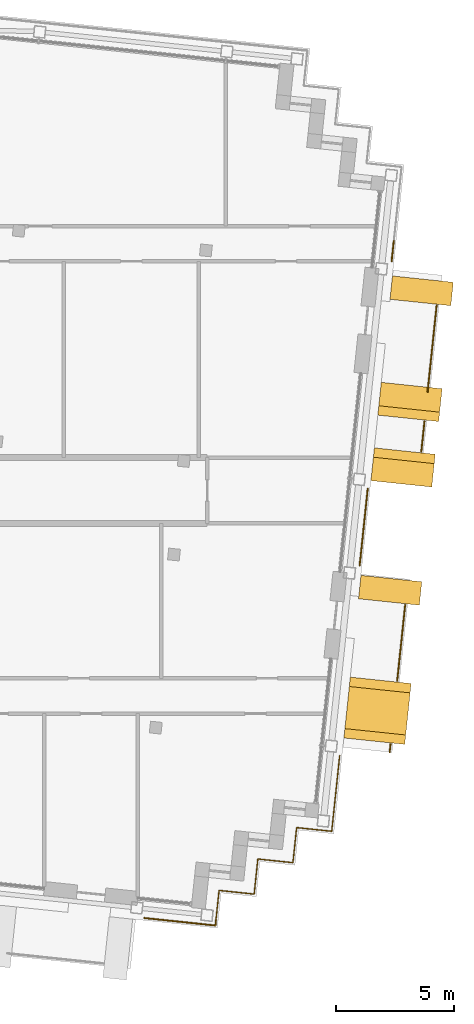
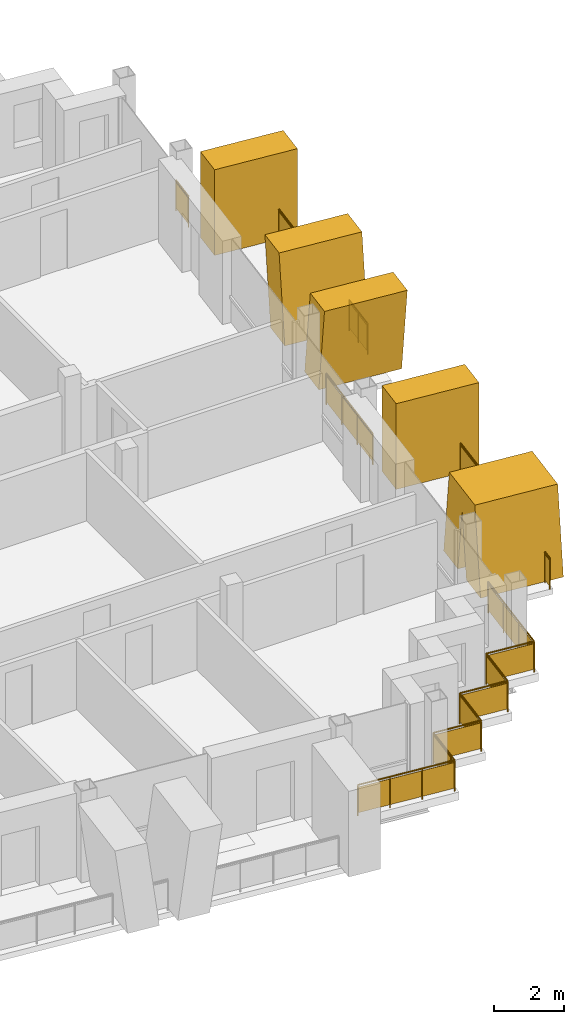
# One storey, part 14 of 16: 8 railings, 5 shading devices.
"""IFC4 building model written with IfcOpenShell, lengths in metres."""

from ifc_helpers import new_model, si_unit, direction, frame, origin, origin_2d, place, context, subcontext, project, spatial, polyline, rectangle, circle, outline, extrude, material, layer, layer_set, type_object, element, save


model = new_model("IFC4")

# Units and contexts
model_context = context("Model", 3, precision=1e-05, world=origin(), true_north=direction((0.0, 1.0)))
body_context = subcontext(model_context, "Body", "Model", "MODEL_VIEW")
ifc_project = project(units=[si_unit("LENGTHUNIT", "METRE"), si_unit("AREAUNIT", "SQUARE_METRE"), si_unit("VOLUMEUNIT", "CUBIC_METRE"), si_unit("PLANEANGLEUNIT", "RADIAN"), si_unit("MASSUNIT", "GRAM", prefix="KILO")], contexts=[model_context])

# Site, building, storey
site_placement = place(None, origin())
site = spatial("IfcSite", under=ifc_project, at=site_placement, CompositionType="ELEMENT")
building_placement = place(site_placement, origin())
building = spatial("IfcBuilding", under=site, at=building_placement, Name="Vidyagriha Tower", CompositionType="ELEMENT")
storey_placement = place(building_placement, frame((0.0, 0.0, 275.5)))
storey = spatial("IfcBuildingStorey", under=building, at=storey_placement, Name="L72", CompositionType="ELEMENT", Elevation=275.5)

# Railings
ifc_material_1 = material(Name="Steel ASTM A500 Grade C black painted", Category="steel")
railing_type_1 = type_object("IfcRailingType", Name="Balcony guard 1100", PredefinedType="BALUSTRADE", material=ifc_material_1)
railing_1_placement = place(storey_placement, frame((32.762451171875, -11.124755859375, 0.0)))
element("IfcRailing", 1, at=railing_1_placement, inside=storey, type_object=railing_type_1, Name="Balcony guard L72 R28.1-1", PredefinedType="BALUSTRADE", context=body_context, shape_type="SweptSolid", body=[
    extrude(circle(Radius=0.02490234375, at=origin_2d()), frame((0.0, 0.0, 1.0751953125), z_axis=(0.104684784518, 0.994505452921, 0.0), x_axis=(-0.994505452921, 0.104684784518, 0.0)), (0.0, 0.0, 1.0), 0.349853515625),
    extrude(circle(Radius=0.02001953125, at=origin_2d()), origin(), (0.0, 0.0, 1.0), 1.050048828125),
    extrude(circle(Radius=0.02001953125, at=origin_2d()), frame((0.03662109375, 0.347900390625, 0.0)), (0.0, 0.0, 1.0), 1.050048828125),
    extrude(rectangle(XDim=0.010009765625, YDim=0.900146484375, at=origin_2d()), frame((0.0, 0.0, 0.550048828125), z_axis=(0.104684784518, 0.994505452921, 0.0), x_axis=(-0.994505452921, 0.104684784518, 0.0)), (0.0, 0.0, 1.0), 0.349853515625),
])
railing_2_placement = place(storey_placement, frame((33.081298828125, -8.091552734375, 0.0)))
element("IfcRailing", 2, at=railing_2_placement, inside=storey, type_object=railing_type_1, Name="Balcony guard L72 R28.1-2", PredefinedType="BALUSTRADE", context=body_context, shape_type="SweptSolid", body=[
    extrude(circle(Radius=0.02490234375, at=origin_2d()), frame((0.0, 0.0, 1.0751953125), z_axis=(0.104567472619, 0.994517794547, 0.0), x_axis=(-0.994517794547, 0.104567472619, 0.0)), (0.0, 0.0, 1.0), 3.25),
    extrude(circle(Radius=0.02001953125, at=origin_2d()), origin(), (0.0, 0.0, 1.0), 1.050048828125),
    extrude(circle(Radius=0.02001953125, at=origin_2d()), frame((0.11328125, 1.077392578125, 0.0)), (0.0, 0.0, 1.0), 1.050048828125),
    extrude(circle(Radius=0.02001953125, at=origin_2d()), frame((0.2265625, 2.15478515625, 0.0)), (0.0, 0.0, 1.0), 1.050048828125),
    extrude(circle(Radius=0.02001953125, at=origin_2d()), frame((0.33984375, 3.232177734375, 0.0)), (0.0, 0.0, 1.0), 1.050048828125),
    extrude(rectangle(XDim=0.010009765625, YDim=0.900146484375, at=origin_2d()), frame((0.0, 0.0, 0.550048828125), z_axis=(0.104567472619, 0.994517794547, 0.0), x_axis=(-0.994517794547, 0.104567472619, 0.0)), (0.0, 0.0, 1.0), 3.25),
])
railing_3_placement = place(storey_placement, frame((34.105712890625, 1.65478515625, 0.0)))
element("IfcRailing", 3, at=railing_3_placement, inside=storey, type_object=railing_type_1, Name="Balcony guard L72 R28.2-1", PredefinedType="BALUSTRADE", context=body_context, shape_type="SweptSolid", body=[
    extrude(circle(Radius=0.02490234375, at=origin_2d()), frame((0.0, 0.0, 1.0751953125), z_axis=(0.104596807649, 0.99451470971, 0.0), x_axis=(-0.99451470971, 0.104596807649, 0.0)), (0.0, 0.0, 1.0), 1.300048828125),
    extrude(circle(Radius=0.02001953125, at=origin_2d()), origin(), (0.0, 0.0, 1.0), 1.050048828125),
    extrude(circle(Radius=0.02001953125, at=origin_2d()), frame((0.06787109375, 0.646484375, 0.0)), (0.0, 0.0, 1.0), 1.050048828125),
    extrude(circle(Radius=0.02001953125, at=origin_2d()), frame((0.135986328125, 1.29296875, 0.0)), (0.0, 0.0, 1.0), 1.050048828125),
    extrude(rectangle(XDim=0.010009765625, YDim=0.900146484375, at=origin_2d()), frame((0.0, 0.0, 0.550048828125), z_axis=(0.104596807649, 0.99451470971, 0.0), x_axis=(-0.99451470971, 0.104596807649, 0.0)), (0.0, 0.0, 1.0), 1.300048828125),
])
railing_4_placement = place(storey_placement, frame((34.37255859375, 4.194091796875, 0.0)))
element("IfcRailing", 4, at=railing_4_placement, inside=storey, type_object=railing_type_1, Name="Balcony guard L72 R28.2-2", PredefinedType="BALUSTRADE", context=body_context, shape_type="SweptSolid", body=[
    extrude(circle(Radius=0.02490234375, at=origin_2d()), frame((0.0, 0.0, 1.0751953125), z_axis=(0.104543834433, 0.994520279674, 0.0), x_axis=(-0.994520279674, 0.104543834433, 0.0)), (0.0, 0.0, 1.0), 3.69677734375),
    extrude(circle(Radius=0.02001953125, at=origin_2d()), origin(), (0.0, 0.0, 1.0), 1.050048828125),
    extrude(circle(Radius=0.02001953125, at=origin_2d()), frame((0.0966796875, 0.919189453125, 0.0)), (0.0, 0.0, 1.0), 1.050048828125),
    extrude(circle(Radius=0.02001953125, at=origin_2d()), frame((0.193359375, 1.83837890625, 0.0)), (0.0, 0.0, 1.0), 1.050048828125),
    extrude(circle(Radius=0.02001953125, at=origin_2d()), frame((0.289794921875, 2.75732421875, 0.0)), (0.0, 0.0, 1.0), 1.050048828125),
    extrude(circle(Radius=0.02001953125, at=origin_2d()), frame((0.386474609375, 3.676513671875, 0.0)), (0.0, 0.0, 1.0), 1.050048828125),
    extrude(rectangle(XDim=0.010009765625, YDim=0.900146484375, at=origin_2d()), frame((0.0, 0.0, 0.550048828125), z_axis=(0.104543834433, 0.994520279674, 0.0), x_axis=(-0.994520279674, 0.104543834433, 0.0)), (0.0, 0.0, 1.0), 3.69677734375),
])

# Shading devices
ifc_material_2 = material(Name="Precast concrete C40/50 with buff brick facing", Category="concrete")
ifc_layer_1 = layer(ifc_material_2, 1.0)
ifc_layer_set_1 = layer_set([ifc_layer_1], Name="Precast concrete C40/50 with buff brick facing")
shading_device_type_1 = type_object("IfcShadingDeviceType", Name="Brick-faced blade fin arm leaning 8 degrees", PredefinedType="USERDEFINED", material=ifc_layer_set_1)
shading_device_1_placement = place(storey_placement, frame((33.55078125, 3.070556640625, 0.0), z_axis=(0.0, 0.0, 1.0), x_axis=(0.104457839748, 0.994529315664, 0.0)))
element("IfcShadingDevice", 5, at=shading_device_1_placement, inside=storey, type_object=shading_device_type_1, Name="Leaning blade fin L72 R28.1390a", ObjectType="BLADE FIN", PredefinedType="USERDEFINED", context=body_context, shape_type="SweptSolid", body=[
    extrude(outline(polyline([(0.0, 0.0), (1.0, 0.0), (1.39990234375, 3.0), (0.39990234375, 3.0), (0.0, 0.0)])), frame((0.0, 1.300048828125, 0.0), z_axis=(0.0, -1.0, 0.0), x_axis=(1.0, 0.0, 0.0)), (0.0, 0.0, 1.0), 2.60009765625),
])
shading_device_2_placement = place(storey_placement, frame((33.258056640625, 0.285888671875, 0.0), z_axis=(0.0, 0.0, 1.0), x_axis=(0.104457839748, 0.994529315664, 0.0)))
element("IfcShadingDevice", 6, at=shading_device_2_placement, inside=storey, type_object=shading_device_type_1, Name="Leaning blade fin L72 R28.1390b", ObjectType="BLADE FIN", PredefinedType="USERDEFINED", context=body_context, shape_type="SweptSolid", body=[
    extrude(outline(polyline([(0.39990234375, 0.0), (1.39990234375, 0.0), (1.0, 3.0), (0.0, 3.0), (0.39990234375, 0.0)])), frame((0.0, 1.300048828125, 0.0), z_axis=(0.0, -1.0, 0.0), x_axis=(1.0, 0.0, 0.0)), (0.0, 0.0, 1.0), 2.60009765625),
])
ifc_material_3 = material(Name="Precast concrete C40/50 with buff brick facing", Category="concrete")
ifc_layer_2 = layer(ifc_material_3, 1.0)
ifc_layer_set_2 = layer_set([ifc_layer_2], Name="Precast concrete C40/50 with buff brick facing")
shading_device_type_2 = type_object("IfcShadingDeviceType", Name="Brick-faced blade fin forking 8 degrees", PredefinedType="USERDEFINED", material=ifc_layer_set_2)
shading_device_3_placement = place(storey_placement, frame((32.108154296875, -10.65380859375, 0.0), z_axis=(0.0, 0.0, 1.0), x_axis=(0.104513699976, 0.994523446942, 0.0)))
element("IfcShadingDevice", 7, at=shading_device_3_placement, inside=storey, type_object=shading_device_type_2, Name="Forked blade fin L72 R28.250a", ObjectType="BLADE FIN", PredefinedType="USERDEFINED", context=body_context, shape_type="SweptSolid", body=[
    extrude(outline(polyline([(1.0, 0.0), (1.300048828125, 2.25), (1.60009765625, 0.0), (2.60009765625, 0.0), (2.199951171875, 3.0), (0.39990234375, 3.0), (0.0, 0.0), (1.0, 0.0)])), frame((0.0, 1.300048828125, 0.0), z_axis=(0.0, -1.0, 0.0), x_axis=(1.0, 0.0, 0.0)), (0.0, 0.0, 1.0), 2.60009765625),
])
ifc_material_4 = material(Name="Precast concrete C40/50 with buff brick facing", Category="concrete")
ifc_layer_3 = layer(ifc_material_4, 1.0)
ifc_layer_set_3 = layer_set([ifc_layer_3], Name="Precast concrete C40/50 with buff brick facing")
shading_device_type_3 = type_object("IfcShadingDeviceType", Name="Brick-faced blade fin stem 1000", PredefinedType="USERDEFINED", material=ifc_layer_set_3)
for number, where, z_axis, x_axis, name in (
    (8, (32.72998046875, -4.736328125, 0.0), (0.0, 0.0, 1.0), (0.104748335039, 0.99449876134, 0.0), "Stem blade fin L72 R28.990a"),
    (9, (34.068115234375, 7.993408203125, 0.0), (0.0, 0.0, 1.0), (0.104481464157, 0.994526834051, 0.0), "Stem blade fin L72 R28.2290a"),
):
    element("IfcShadingDevice", number, at=place(storey_placement, frame(where, z_axis=z_axis, x_axis=x_axis)), inside=storey, type_object=shading_device_type_3, Name=name, ObjectType="BLADE FIN", PredefinedType="USERDEFINED", context=body_context, shape_type="SweptSolid", body=[
        extrude(outline(polyline([(0.0, 0.0), (1.0, 0.0), (1.0, 3.0), (0.0, 3.0), (0.0, 0.0)])), frame((0.0, 1.300048828125, 0.0), z_axis=(0.0, -1.0, 0.0), x_axis=(1.0, 0.0, 0.0)), (0.0, 0.0, 1.0), 2.60009765625),
    ])

# Railings
ifc_material_5 = material(Name="Steel ASTM A500 Grade C black painted", Category="steel")
railing_type_2 = type_object("IfcRailingType", Name="Gallery guard 1100", PredefinedType="GUARDRAIL", material=ifc_material_5)
railing_5_placement = place(storey_placement, frame((32.93603515625, 10.615966796875, 0.0)))
element("IfcRailing", 10, at=railing_5_placement, inside=storey, type_object=railing_type_2, Name="Gallery guard L72 10", PredefinedType="GUARDRAIL", context=body_context, shape_type="SweptSolid", body=[
    extrude(circle(Radius=0.02490234375, at=origin_2d()), frame((0.0, 0.0, 1.0751953125), z_axis=(-0.104612561624, -0.99451305268, 0.0), x_axis=(0.99451305268, -0.104612561624, 0.0)), (0.0, 0.0, 1.0), 0.8798828125),
    extrude(circle(Radius=0.02001953125, at=origin_2d()), origin(), (0.0, 0.0, 1.0), 1.050048828125),
    extrude(circle(Radius=0.02001953125, at=origin_2d()), frame((-0.092041015625, -0.875, 0.0)), (0.0, 0.0, 1.0), 1.050048828125),
    extrude(rectangle(XDim=0.010009765625, YDim=0.900146484375, at=origin_2d()), frame((0.0, 0.0, 0.550048828125), z_axis=(-0.104612561624, -0.99451305268, 0.0), x_axis=(0.99451305268, -0.104612561624, 0.0)), (0.0, 0.0, 1.0), 0.8798828125),
])
railing_6_placement = place(storey_placement, frame((30.636474609375, -11.263427734375, 0.0)))
element("IfcRailing", 11, at=railing_6_placement, inside=storey, type_object=railing_type_2, Name="Gallery guard L72 11", PredefinedType="GUARDRAIL", context=body_context, shape_type="SweptSolid", body=[
    extrude(circle(Radius=0.02490234375, at=origin_2d()), frame((0.0, 0.0, 1.0751953125), z_axis=(-0.104590643799, -0.994515357966, 0.0), x_axis=(0.994515357966, -0.104590643799, 0.0)), (0.0, 0.0, 1.0), 3.239990234375),
    extrude(circle(Radius=0.02490234375, at=origin_2d()), frame((-0.3388671875, -3.22216796875, 1.0751953125), z_axis=(-0.994525057048, 0.104498377516, 0.0), x_axis=(-0.104498377516, -0.994525057048, 0.0)), (0.0, 0.0, 1.0), 1.5),
    extrude(circle(Radius=0.02490234375, at=origin_2d()), frame((-1.83056640625, -3.0654296875, 1.0751953125), z_axis=(-0.104498377516, -0.994525057048, 0.0), x_axis=(0.994525057048, -0.104498377516, 0.0)), (0.0, 0.0, 1.0), 1.5),
    extrude(circle(Radius=0.02490234375, at=origin_2d()), frame((-1.9873046875, -4.55712890625, 1.0751953125), z_axis=(-0.994525057048, 0.104498377516, 0.0), x_axis=(-0.104498377516, -0.994525057048, 0.0)), (0.0, 0.0, 1.0), 1.5),
    extrude(circle(Radius=0.02490234375, at=origin_2d()), frame((-3.47900390625, -4.400390625, 1.0751953125), z_axis=(-0.104659366031, -0.994508128223, 0.0), x_axis=(0.994508128223, -0.104659366031, 0.0)), (0.0, 0.0, 1.0), 1.5),
    extrude(circle(Radius=0.02490234375, at=origin_2d()), frame((-3.635986328125, -5.89208984375, 1.0751953125), z_axis=(-0.994525057048, 0.104498377516, 0.0), x_axis=(-0.104498377516, -0.994525057048, 0.0)), (0.0, 0.0, 1.0), 1.5),
    extrude(circle(Radius=0.02490234375, at=origin_2d()), frame((-5.127685546875, -5.7353515625, 1.0751953125), z_axis=(-0.104432637393, -0.994531962406, 0.0), x_axis=(0.994531962406, -0.104432637393, 0.0)), (0.0, 0.0, 1.0), 1.260009765625),
    extrude(circle(Radius=0.02001953125, at=origin_2d()), origin(), (0.0, 0.0, 1.0), 1.050048828125),
    extrude(circle(Radius=0.02001953125, at=origin_2d()), frame((-0.113037109375, -1.073974609375, 0.0)), (0.0, 0.0, 1.0), 1.050048828125),
    extrude(circle(Radius=0.02001953125, at=origin_2d()), frame((-0.225830078125, -2.148193359375, 0.0)), (0.0, 0.0, 1.0), 1.050048828125),
    extrude(circle(Radius=0.02001953125, at=origin_2d()), frame((-0.3388671875, -3.22216796875, 0.0)), (0.0, 0.0, 1.0), 1.050048828125),
    extrude(circle(Radius=0.02001953125, at=origin_2d()), frame((-1.83056640625, -3.0654296875, 0.0)), (0.0, 0.0, 1.0), 1.050048828125),
    extrude(circle(Radius=0.02001953125, at=origin_2d()), frame((-1.9873046875, -4.55712890625, 0.0)), (0.0, 0.0, 1.0), 1.050048828125),
    extrude(circle(Radius=0.02001953125, at=origin_2d()), frame((-3.47900390625, -4.400390625, 0.0)), (0.0, 0.0, 1.0), 1.050048828125),
    extrude(circle(Radius=0.02001953125, at=origin_2d()), frame((-3.635986328125, -5.89208984375, 0.0)), (0.0, 0.0, 1.0), 1.050048828125),
    extrude(circle(Radius=0.02001953125, at=origin_2d()), frame((-5.127685546875, -5.7353515625, 0.0)), (0.0, 0.0, 1.0), 1.050048828125),
    extrude(circle(Radius=0.02001953125, at=origin_2d()), frame((-5.25927734375, -6.988525390625, 0.0)), (0.0, 0.0, 1.0), 1.050048828125),
    extrude(rectangle(XDim=0.010009765625, YDim=0.900146484375, at=origin_2d()), frame((0.0, 0.0, 0.550048828125), z_axis=(-0.104590643799, -0.994515357966, 0.0), x_axis=(0.994515357966, -0.104590643799, 0.0)), (0.0, 0.0, 1.0), 3.239990234375),
    extrude(rectangle(XDim=0.010009765625, YDim=0.900146484375, at=origin_2d()), frame((-0.3388671875, -3.22216796875, 0.550048828125), z_axis=(-0.994525057048, 0.104498377516, 0.0), x_axis=(-0.104498377516, -0.994525057048, 0.0)), (0.0, 0.0, 1.0), 1.5),
    extrude(rectangle(XDim=0.010009765625, YDim=0.900146484375, at=origin_2d()), frame((-1.83056640625, -3.0654296875, 0.550048828125), z_axis=(-0.104498377516, -0.994525057048, 0.0), x_axis=(0.994525057048, -0.104498377516, 0.0)), (0.0, 0.0, 1.0), 1.5),
    extrude(rectangle(XDim=0.010009765625, YDim=0.900146484375, at=origin_2d()), frame((-1.9873046875, -4.55712890625, 0.550048828125), z_axis=(-0.994525057048, 0.104498377516, 0.0), x_axis=(-0.104498377516, -0.994525057048, 0.0)), (0.0, 0.0, 1.0), 1.5),
    extrude(rectangle(XDim=0.010009765625, YDim=0.900146484375, at=origin_2d()), frame((-3.47900390625, -4.400390625, 0.550048828125), z_axis=(-0.104659366031, -0.994508128223, 0.0), x_axis=(0.994508128223, -0.104659366031, 0.0)), (0.0, 0.0, 1.0), 1.5),
    extrude(rectangle(XDim=0.010009765625, YDim=0.900146484375, at=origin_2d()), frame((-3.635986328125, -5.89208984375, 0.550048828125), z_axis=(-0.994525057048, 0.104498377516, 0.0), x_axis=(-0.104498377516, -0.994525057048, 0.0)), (0.0, 0.0, 1.0), 1.5),
    extrude(rectangle(XDim=0.010009765625, YDim=0.900146484375, at=origin_2d()), frame((-5.127685546875, -5.7353515625, 0.550048828125), z_axis=(-0.104432637393, -0.994531962406, 0.0), x_axis=(0.994531962406, -0.104432637393, 0.0)), (0.0, 0.0, 1.0), 1.260009765625),
])
railing_7_placement = place(storey_placement, frame((25.377197265625, -18.251953125, 0.0)))
element("IfcRailing", 12, at=railing_7_placement, inside=storey, type_object=railing_type_2, Name="Gallery guard L72 12", PredefinedType="GUARDRAIL", context=body_context, shape_type="SweptSolid", body=[
    extrude(circle(Radius=0.02490234375, at=origin_2d()), frame((0.0, 0.0, 1.0751953125), z_axis=(-0.104843742972, -0.994488707608, 0.0), x_axis=(0.994488707608, -0.104843742972, 0.0)), (0.0, 0.0, 1.0), 0.23974609375),
    extrude(circle(Radius=0.02490234375, at=origin_2d()), frame((-0.025146484375, -0.238525390625, 1.0751953125), z_axis=(-0.994518646122, 0.104559373163, 0.0), x_axis=(-0.104559373163, -0.994518646122, 0.0)), (0.0, 0.0, 1.0), 3.0400390625),
    extrude(circle(Radius=0.02001953125, at=origin_2d()), origin(), (0.0, 0.0, 1.0), 1.050048828125),
    extrude(circle(Radius=0.02001953125, at=origin_2d()), frame((-0.025146484375, -0.238525390625, 0.0)), (0.0, 0.0, 1.0), 1.050048828125),
    extrude(circle(Radius=0.02001953125, at=origin_2d()), frame((-1.032958984375, -0.132568359375, 0.0)), (0.0, 0.0, 1.0), 1.050048828125),
    extrude(circle(Radius=0.02001953125, at=origin_2d()), frame((-2.040771484375, -0.026611328125, 0.0)), (0.0, 0.0, 1.0), 1.050048828125),
    extrude(circle(Radius=0.02001953125, at=origin_2d()), frame((-3.048583984375, 0.079345703125, 0.0)), (0.0, 0.0, 1.0), 1.050048828125),
    extrude(rectangle(XDim=0.010009765625, YDim=0.900146484375, at=origin_2d()), frame((0.0, 0.0, 0.550048828125), z_axis=(-0.104843742972, -0.994488707608, 0.0), x_axis=(0.994488707608, -0.104843742972, 0.0)), (0.0, 0.0, 1.0), 0.23974609375),
    extrude(rectangle(XDim=0.010009765625, YDim=0.900146484375, at=origin_2d()), frame((-0.025146484375, -0.238525390625, 0.550048828125), z_axis=(-0.994518646122, 0.104559373163, 0.0), x_axis=(-0.104559373163, -0.994518646122, 0.0)), (0.0, 0.0, 1.0), 3.0400390625),
])
railing_8_placement = place(storey_placement, frame((31.827880859375, 0.07421875, 0.0)))
element("IfcRailing", 13, at=railing_8_placement, inside=storey, type_object=railing_type_2, Name="Gallery guard L72 13", PredefinedType="GUARDRAIL", context=body_context, shape_type="SweptSolid", body=[
    extrude(circle(Radius=0.02490234375, at=origin_2d()), frame((0.0, 0.0, 1.0751953125), z_axis=(-0.104506547029, -0.994524198614, 0.0), x_axis=(0.994524198614, -0.104506547029, 0.0)), (0.0, 0.0, 1.0), 3.280029296875),
    extrude(circle(Radius=0.02001953125, at=origin_2d()), origin(), (0.0, 0.0, 1.0), 1.050048828125),
    extrude(circle(Radius=0.02001953125, at=origin_2d()), frame((-0.1142578125, -1.08740234375, 0.0)), (0.0, 0.0, 1.0), 1.050048828125),
    extrude(circle(Radius=0.02001953125, at=origin_2d()), frame((-0.228515625, -2.174560546875, 0.0)), (0.0, 0.0, 1.0), 1.050048828125),
    extrude(circle(Radius=0.02001953125, at=origin_2d()), frame((-0.3427734375, -3.261962890625, 0.0)), (0.0, 0.0, 1.0), 1.050048828125),
    extrude(rectangle(XDim=0.010009765625, YDim=0.900146484375, at=origin_2d()), frame((0.0, 0.0, 0.550048828125), z_axis=(-0.104506547029, -0.994524198614, 0.0), x_axis=(0.994524198614, -0.104506547029, 0.0)), (0.0, 0.0, 1.0), 3.280029296875),
])

save(model, "model.ifc")
